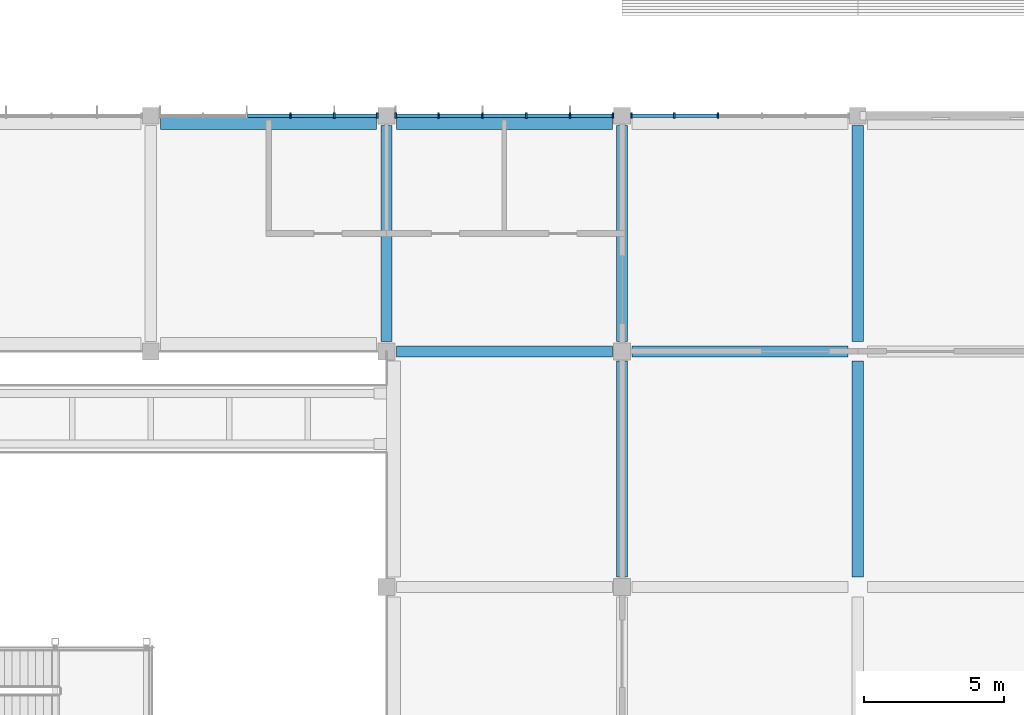
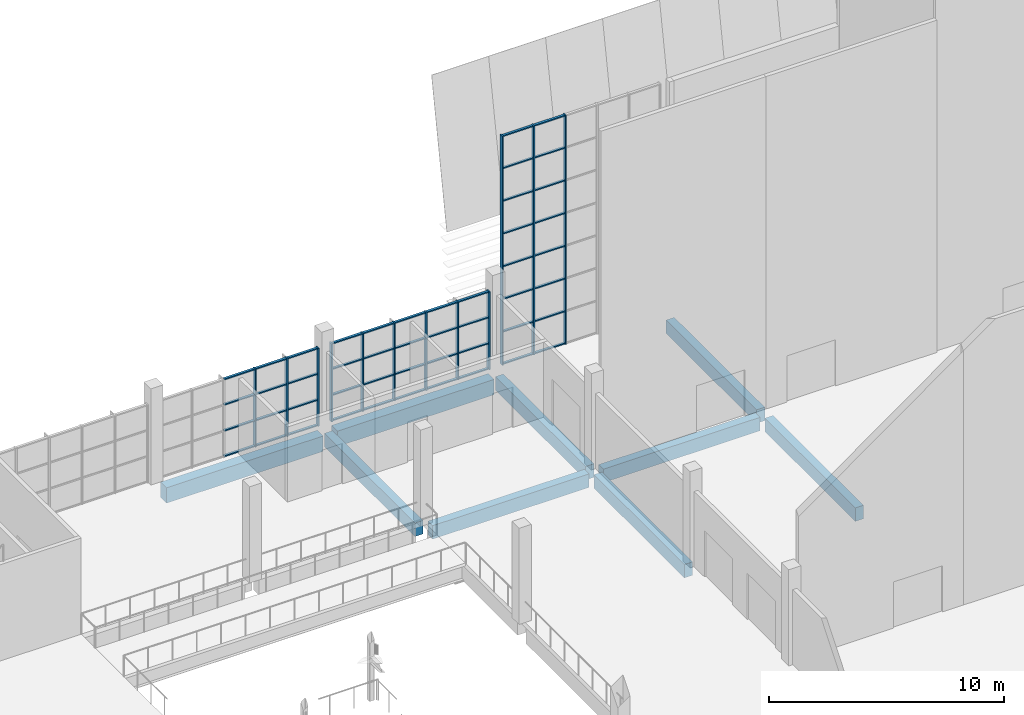
# One storey, part 11 of 59: 60 members, 9 beams, 3 elements without a shape of their own.
"""IFC4 building model written with IfcOpenShell, lengths in metres."""

from ifc_helpers import new_model, si_unit, direction, frame, origin, origin_2d, place, context, subcontext, project, spatial, rectangle, extrude, material, material_profile, profile_set, type_object, element, aggregate, save


model = new_model("IFC4")

# Units and contexts
model_context = context("Model", 3, precision=1e-05, world=origin(), true_north=direction((0.0, 1.0)))
body_context = subcontext(model_context, "Body", "Model", "MODEL_VIEW")
ifc_project = project(units=[si_unit("LENGTHUNIT", "METRE"), si_unit("AREAUNIT", "SQUARE_METRE"), si_unit("VOLUMEUNIT", "CUBIC_METRE"), si_unit("PLANEANGLEUNIT", "RADIAN"), si_unit("MASSUNIT", "GRAM", prefix="KILO")], contexts=[model_context])

# Site, building, storey
site_placement = place(None, origin())
site = spatial("IfcSite", under=ifc_project, at=site_placement, CompositionType="ELEMENT")
building_placement = place(site_placement, origin())
building = spatial("IfcBuilding", under=site, at=building_placement, Name="Almond Square Museum", CompositionType="ELEMENT")
storey_placement = place(building_placement, frame((0.0, 0.0, 25.0)))
storey = spatial("IfcBuildingStorey", under=building, at=storey_placement, Name="L04", CompositionType="ELEMENT", Elevation=25.0)

# Curtain wall, members
ifc_material_1 = material(Name="Aluminium and laminated glass", Category="aluminium")
curtain_wall_type = type_object("IfcCurtainWallType", Name="Unitised curtain wall 1500 module", PredefinedType="NOTDEFINED", material=ifc_material_1)
curtain_wall_1_placement = place(storey_placement, origin())
curtain_wall_1 = element("IfcCurtainWall", 1, at=curtain_wall_1_placement, inside=storey, type_object=curtain_wall_type, Name="Curtain wall CW-40", PredefinedType="NOTDEFINED")
ifc_material_2 = material(Name="Anodised aluminium", Category="aluminium")
ifc_material_profile_1 = material_profile(ifc_material_2, rectangle(XDim=0.199951171875, YDim=0.06005859375, at=origin_2d()))
ifc_profile_set_1 = profile_set([ifc_material_profile_1], Name="Anodised aluminium")
member_type_1 = type_object("IfcMemberType", Name="Aluminium mullion 60 x 200", PredefinedType="MULLION", material=ifc_profile_set_1)
member_1_placement = place(storey_placement, frame((107.1298828125, 109.199951171875, 0.0), z_axis=(0.0, 0.0, 1.0), x_axis=(0.0, 1.0, 0.0)))
member_1 = element("IfcMember", 2, at=member_1_placement, type_object=member_type_1, Name="CW-40 mullion 1", PredefinedType="MULLION", context=body_context, shape_type="SweptSolid", body=[
    extrude(rectangle(XDim=0.199951171875, YDim=0.06005859375, at=origin_2d()), origin(), (0.0, 0.0, 1.0), 11.89990234375),
])
member_2_placement = place(storey_placement, frame((108.659912109375, 109.199951171875, 0.0), z_axis=(0.0, 0.0, 1.0), x_axis=(0.0, 1.0, 0.0)))
member_2 = element("IfcMember", 3, at=member_2_placement, type_object=member_type_1, Name="CW-40 mullion 2", PredefinedType="MULLION", context=body_context, shape_type="SweptSolid", body=[
    extrude(rectangle(XDim=0.199951171875, YDim=0.06005859375, at=origin_2d()), origin(), (0.0, 0.0, 1.0), 11.89990234375),
])
member_3_placement = place(storey_placement, frame((110.219970703125, 109.199951171875, 0.0), z_axis=(0.0, 0.0, 1.0), x_axis=(0.0, 1.0, 0.0)))
member_3 = element("IfcMember", 4, at=member_3_placement, type_object=member_type_1, Name="CW-40 mullion 3", PredefinedType="MULLION", context=body_context, shape_type="SweptSolid", body=[
    extrude(rectangle(XDim=0.199951171875, YDim=0.06005859375, at=origin_2d()), origin(), (0.0, 0.0, 1.0), 11.89990234375),
])

curtain_wall_2_placement = place(storey_placement, origin())
curtain_wall_2 = element("IfcCurtainWall", 5, at=curtain_wall_2_placement, inside=storey, type_object=curtain_wall_type, Name="Curtain wall CW-41", PredefinedType="NOTDEFINED")
member_4_placement = place(storey_placement, frame((98.72998046875, 109.199951171875, 0.0), z_axis=(0.0, 0.0, 1.0), x_axis=(0.0, 1.0, 0.0)))
member_4 = element("IfcMember", 6, at=member_4_placement, type_object=member_type_1, Name="CW-41 mullion 1", PredefinedType="MULLION", context=body_context, shape_type="SweptSolid", body=[
    extrude(rectangle(XDim=0.199951171875, YDim=0.06005859375, at=origin_2d()), origin(), (0.0, 0.0, 1.0), 4.050048828125),
])
member_5_placement = place(storey_placement, frame((100.260009765625, 109.199951171875, 0.0), z_axis=(0.0, 0.0, 1.0), x_axis=(0.0, 1.0, 0.0)))
member_5 = element("IfcMember", 7, at=member_5_placement, type_object=member_type_1, Name="CW-41 mullion 2", PredefinedType="MULLION", context=body_context, shape_type="SweptSolid", body=[
    extrude(rectangle(XDim=0.199951171875, YDim=0.06005859375, at=origin_2d()), origin(), (0.0, 0.0, 1.0), 4.050048828125),
])
member_6_placement = place(storey_placement, frame((101.820068359375, 109.199951171875, 0.0), z_axis=(0.0, 0.0, 1.0), x_axis=(0.0, 1.0, 0.0)))
member_6 = element("IfcMember", 8, at=member_6_placement, type_object=member_type_1, Name="CW-41 mullion 3", PredefinedType="MULLION", context=body_context, shape_type="SweptSolid", body=[
    extrude(rectangle(XDim=0.199951171875, YDim=0.06005859375, at=origin_2d()), origin(), (0.0, 0.0, 1.0), 4.050048828125),
])
member_7_placement = place(storey_placement, frame((103.3798828125, 109.199951171875, 0.0), z_axis=(0.0, 0.0, 1.0), x_axis=(0.0, 1.0, 0.0)))
member_7 = element("IfcMember", 9, at=member_7_placement, type_object=member_type_1, Name="CW-41 mullion 4", PredefinedType="MULLION", context=body_context, shape_type="SweptSolid", body=[
    extrude(rectangle(XDim=0.199951171875, YDim=0.06005859375, at=origin_2d()), origin(), (0.0, 0.0, 1.0), 4.050048828125),
])
member_8_placement = place(storey_placement, frame((104.93994140625, 109.199951171875, 0.0), z_axis=(0.0, 0.0, 1.0), x_axis=(0.0, 1.0, 0.0)))
member_8 = element("IfcMember", 10, at=member_8_placement, type_object=member_type_1, Name="CW-41 mullion 5", PredefinedType="MULLION", context=body_context, shape_type="SweptSolid", body=[
    extrude(rectangle(XDim=0.199951171875, YDim=0.06005859375, at=origin_2d()), origin(), (0.0, 0.0, 1.0), 4.050048828125),
])
member_9_placement = place(storey_placement, frame((106.469970703125, 109.199951171875, 0.0), z_axis=(0.0, 0.0, 1.0), x_axis=(0.0, 1.0, 0.0)))
member_9 = element("IfcMember", 11, at=member_9_placement, type_object=member_type_1, Name="CW-41 mullion 6", PredefinedType="MULLION", context=body_context, shape_type="SweptSolid", body=[
    extrude(rectangle(XDim=0.199951171875, YDim=0.06005859375, at=origin_2d()), origin(), (0.0, 0.0, 1.0), 4.050048828125),
])

curtain_wall_3_placement = place(storey_placement, origin())
curtain_wall_3 = element("IfcCurtainWall", 12, at=curtain_wall_3_placement, inside=storey, type_object=curtain_wall_type, Name="Curtain wall CW-42", PredefinedType="NOTDEFINED")
member_10_placement = place(storey_placement, frame((94.97998046875, 109.199951171875, 0.0), z_axis=(0.0, 0.0, 1.0), x_axis=(0.0, 1.0, 0.0)))
member_10 = element("IfcMember", 13, at=member_10_placement, type_object=member_type_1, Name="CW-42 mullion 4", PredefinedType="MULLION", context=body_context, shape_type="SweptSolid", body=[
    extrude(rectangle(XDim=0.199951171875, YDim=0.06005859375, at=origin_2d()), origin(), (0.0, 0.0, 1.0), 4.050048828125),
])
member_11_placement = place(storey_placement, frame((96.5400390625, 109.199951171875, 0.0), z_axis=(0.0, 0.0, 1.0), x_axis=(0.0, 1.0, 0.0)))
member_11 = element("IfcMember", 14, at=member_11_placement, type_object=member_type_1, Name="CW-42 mullion 5", PredefinedType="MULLION", context=body_context, shape_type="SweptSolid", body=[
    extrude(rectangle(XDim=0.199951171875, YDim=0.06005859375, at=origin_2d()), origin(), (0.0, 0.0, 1.0), 4.050048828125),
])
member_12_placement = place(storey_placement, frame((98.070068359375, 109.199951171875, 0.0), z_axis=(0.0, 0.0, 1.0), x_axis=(0.0, 1.0, 0.0)))
member_12 = element("IfcMember", 15, at=member_12_placement, type_object=member_type_1, Name="CW-42 mullion 6", PredefinedType="MULLION", context=body_context, shape_type="SweptSolid", body=[
    extrude(rectangle(XDim=0.199951171875, YDim=0.06005859375, at=origin_2d()), origin(), (0.0, 0.0, 1.0), 4.050048828125),
])

# Member
ifc_material_3 = material(Name="Anodised aluminium", Category="aluminium")
ifc_material_profile_2 = material_profile(ifc_material_3, rectangle(XDim=0.1201171875, YDim=0.06005859375, at=origin_2d()))
ifc_profile_set_2 = profile_set([ifc_material_profile_2], Name="Anodised aluminium")
member_type_2 = type_object("IfcMemberType", Name="Aluminium transom 60 x 120", PredefinedType="USERDEFINED", material=ifc_profile_set_2)
member_13_placement = place(storey_placement, frame((107.159912109375, 109.199951171875, 0.030029296875), z_axis=(1.0, 0.0, 0.0), x_axis=(0.0, 1.0, 0.0)))
member_13 = element("IfcMember", 16, at=member_13_placement, type_object=member_type_2, Name="CW-40 transom 1.1", ObjectType="TRANSOM", PredefinedType="USERDEFINED", context=body_context, shape_type="SweptSolid", body=[
    extrude(rectangle(XDim=0.1201171875, YDim=0.06005859375, at=origin_2d()), origin(), (0.0, 0.0, 1.0), 1.469970703125),
])

member_14_placement = place(storey_placement, frame((107.159912109375, 109.199951171875, 1.699951171875), z_axis=(1.0, 0.0, 0.0), x_axis=(0.0, 1.0, 0.0)))
member_14 = element("IfcMember", 17, at=member_14_placement, type_object=member_type_2, Name="CW-40 transom 1.2", ObjectType="TRANSOM", PredefinedType="USERDEFINED", context=body_context, shape_type="SweptSolid", body=[
    extrude(rectangle(XDim=0.1201171875, YDim=0.06005859375, at=origin_2d()), origin(), (0.0, 0.0, 1.0), 1.469970703125),
])

member_15_placement = place(storey_placement, frame((107.159912109375, 109.199951171875, 3.39990234375), z_axis=(1.0, 0.0, 0.0), x_axis=(0.0, 1.0, 0.0)))
member_15 = element("IfcMember", 18, at=member_15_placement, type_object=member_type_2, Name="CW-40 transom 1.3", ObjectType="TRANSOM", PredefinedType="USERDEFINED", context=body_context, shape_type="SweptSolid", body=[
    extrude(rectangle(XDim=0.1201171875, YDim=0.06005859375, at=origin_2d()), origin(), (0.0, 0.0, 1.0), 1.469970703125),
])

member_16_placement = place(storey_placement, frame((107.159912109375, 109.199951171875, 5.10009765625), z_axis=(1.0, 0.0, 0.0), x_axis=(0.0, 1.0, 0.0)))
member_16 = element("IfcMember", 19, at=member_16_placement, type_object=member_type_2, Name="CW-40 transom 1.4", ObjectType="TRANSOM", PredefinedType="USERDEFINED", context=body_context, shape_type="SweptSolid", body=[
    extrude(rectangle(XDim=0.1201171875, YDim=0.06005859375, at=origin_2d()), origin(), (0.0, 0.0, 1.0), 1.469970703125),
])

member_17_placement = place(storey_placement, frame((107.159912109375, 109.199951171875, 6.800048828125), z_axis=(1.0, 0.0, 0.0), x_axis=(0.0, 1.0, 0.0)))
member_17 = element("IfcMember", 20, at=member_17_placement, type_object=member_type_2, Name="CW-40 transom 1.5", ObjectType="TRANSOM", PredefinedType="USERDEFINED", context=body_context, shape_type="SweptSolid", body=[
    extrude(rectangle(XDim=0.1201171875, YDim=0.06005859375, at=origin_2d()), origin(), (0.0, 0.0, 1.0), 1.469970703125),
])

member_18_placement = place(storey_placement, frame((107.159912109375, 109.199951171875, 8.5), z_axis=(1.0, 0.0, 0.0), x_axis=(0.0, 1.0, 0.0)))
member_18 = element("IfcMember", 21, at=member_18_placement, type_object=member_type_2, Name="CW-40 transom 1.6", ObjectType="TRANSOM", PredefinedType="USERDEFINED", context=body_context, shape_type="SweptSolid", body=[
    extrude(rectangle(XDim=0.1201171875, YDim=0.06005859375, at=origin_2d()), origin(), (0.0, 0.0, 1.0), 1.469970703125),
])

member_19_placement = place(storey_placement, frame((107.159912109375, 109.199951171875, 10.199951171875), z_axis=(1.0, 0.0, 0.0), x_axis=(0.0, 1.0, 0.0)))
member_19 = element("IfcMember", 22, at=member_19_placement, type_object=member_type_2, Name="CW-40 transom 1.7", ObjectType="TRANSOM", PredefinedType="USERDEFINED", context=body_context, shape_type="SweptSolid", body=[
    extrude(rectangle(XDim=0.1201171875, YDim=0.06005859375, at=origin_2d()), origin(), (0.0, 0.0, 1.0), 1.469970703125),
])

member_20_placement = place(storey_placement, frame((107.159912109375, 109.199951171875, 11.8701171875), z_axis=(1.0, 0.0, 0.0), x_axis=(0.0, 1.0, 0.0)))
member_20 = element("IfcMember", 23, at=member_20_placement, type_object=member_type_2, Name="CW-40 transom 1.8", ObjectType="TRANSOM", PredefinedType="USERDEFINED", context=body_context, shape_type="SweptSolid", body=[
    extrude(rectangle(XDim=0.1201171875, YDim=0.06005859375, at=origin_2d()), origin(), (0.0, 0.0, 1.0), 1.469970703125),
])

member_21_placement = place(storey_placement, frame((108.68994140625, 109.199951171875, 0.030029296875), z_axis=(1.0, 0.0, 0.0), x_axis=(0.0, 1.0, 0.0)))
member_21 = element("IfcMember", 24, at=member_21_placement, type_object=member_type_2, Name="CW-40 transom 2.1", ObjectType="TRANSOM", PredefinedType="USERDEFINED", context=body_context, shape_type="SweptSolid", body=[
    extrude(rectangle(XDim=0.1201171875, YDim=0.06005859375, at=origin_2d()), origin(), (0.0, 0.0, 1.0), 1.5),
])

member_22_placement = place(storey_placement, frame((108.68994140625, 109.199951171875, 1.699951171875), z_axis=(1.0, 0.0, 0.0), x_axis=(0.0, 1.0, 0.0)))
member_22 = element("IfcMember", 25, at=member_22_placement, type_object=member_type_2, Name="CW-40 transom 2.2", ObjectType="TRANSOM", PredefinedType="USERDEFINED", context=body_context, shape_type="SweptSolid", body=[
    extrude(rectangle(XDim=0.1201171875, YDim=0.06005859375, at=origin_2d()), origin(), (0.0, 0.0, 1.0), 1.5),
])

member_23_placement = place(storey_placement, frame((108.68994140625, 109.199951171875, 3.39990234375), z_axis=(1.0, 0.0, 0.0), x_axis=(0.0, 1.0, 0.0)))
member_23 = element("IfcMember", 26, at=member_23_placement, type_object=member_type_2, Name="CW-40 transom 2.3", ObjectType="TRANSOM", PredefinedType="USERDEFINED", context=body_context, shape_type="SweptSolid", body=[
    extrude(rectangle(XDim=0.1201171875, YDim=0.06005859375, at=origin_2d()), origin(), (0.0, 0.0, 1.0), 1.5),
])

member_24_placement = place(storey_placement, frame((108.68994140625, 109.199951171875, 5.10009765625), z_axis=(1.0, 0.0, 0.0), x_axis=(0.0, 1.0, 0.0)))
member_24 = element("IfcMember", 27, at=member_24_placement, type_object=member_type_2, Name="CW-40 transom 2.4", ObjectType="TRANSOM", PredefinedType="USERDEFINED", context=body_context, shape_type="SweptSolid", body=[
    extrude(rectangle(XDim=0.1201171875, YDim=0.06005859375, at=origin_2d()), origin(), (0.0, 0.0, 1.0), 1.5),
])

member_25_placement = place(storey_placement, frame((108.68994140625, 109.199951171875, 6.800048828125), z_axis=(1.0, 0.0, 0.0), x_axis=(0.0, 1.0, 0.0)))
member_25 = element("IfcMember", 28, at=member_25_placement, type_object=member_type_2, Name="CW-40 transom 2.5", ObjectType="TRANSOM", PredefinedType="USERDEFINED", context=body_context, shape_type="SweptSolid", body=[
    extrude(rectangle(XDim=0.1201171875, YDim=0.06005859375, at=origin_2d()), origin(), (0.0, 0.0, 1.0), 1.5),
])

member_26_placement = place(storey_placement, frame((108.68994140625, 109.199951171875, 8.5), z_axis=(1.0, 0.0, 0.0), x_axis=(0.0, 1.0, 0.0)))
member_26 = element("IfcMember", 29, at=member_26_placement, type_object=member_type_2, Name="CW-40 transom 2.6", ObjectType="TRANSOM", PredefinedType="USERDEFINED", context=body_context, shape_type="SweptSolid", body=[
    extrude(rectangle(XDim=0.1201171875, YDim=0.06005859375, at=origin_2d()), origin(), (0.0, 0.0, 1.0), 1.5),
])

member_27_placement = place(storey_placement, frame((108.68994140625, 109.199951171875, 10.199951171875), z_axis=(1.0, 0.0, 0.0), x_axis=(0.0, 1.0, 0.0)))
member_27 = element("IfcMember", 30, at=member_27_placement, type_object=member_type_2, Name="CW-40 transom 2.7", ObjectType="TRANSOM", PredefinedType="USERDEFINED", context=body_context, shape_type="SweptSolid", body=[
    extrude(rectangle(XDim=0.1201171875, YDim=0.06005859375, at=origin_2d()), origin(), (0.0, 0.0, 1.0), 1.5),
])

member_28_placement = place(storey_placement, frame((108.68994140625, 109.199951171875, 11.8701171875), z_axis=(1.0, 0.0, 0.0), x_axis=(0.0, 1.0, 0.0)))
member_28 = element("IfcMember", 31, at=member_28_placement, type_object=member_type_2, Name="CW-40 transom 2.8", ObjectType="TRANSOM", PredefinedType="USERDEFINED", context=body_context, shape_type="SweptSolid", body=[
    extrude(rectangle(XDim=0.1201171875, YDim=0.06005859375, at=origin_2d()), origin(), (0.0, 0.0, 1.0), 1.5),
])

aggregate(curtain_wall_1, [member_1, member_2, member_3, member_13, member_14, member_15, member_16, member_17, member_18, member_19, member_20, member_21, member_22, member_23, member_24, member_25, member_26, member_27, member_28])

member_29_placement = place(storey_placement, frame((98.760009765625, 109.199951171875, 0.030029296875), z_axis=(1.0, 0.0, 0.0), x_axis=(0.0, 1.0, 0.0)))
member_29 = element("IfcMember", 32, at=member_29_placement, type_object=member_type_2, Name="CW-41 transom 1.1", ObjectType="TRANSOM", PredefinedType="USERDEFINED", context=body_context, shape_type="SweptSolid", body=[
    extrude(rectangle(XDim=0.1201171875, YDim=0.06005859375, at=origin_2d()), origin(), (0.0, 0.0, 1.0), 1.469970703125),
])

member_30_placement = place(storey_placement, frame((98.760009765625, 109.199951171875, 1.35009765625), z_axis=(1.0, 0.0, 0.0), x_axis=(0.0, 1.0, 0.0)))
member_30 = element("IfcMember", 33, at=member_30_placement, type_object=member_type_2, Name="CW-41 transom 1.2", ObjectType="TRANSOM", PredefinedType="USERDEFINED", context=body_context, shape_type="SweptSolid", body=[
    extrude(rectangle(XDim=0.1201171875, YDim=0.06005859375, at=origin_2d()), origin(), (0.0, 0.0, 1.0), 1.469970703125),
])

member_31_placement = place(storey_placement, frame((98.760009765625, 109.199951171875, 2.699951171875), z_axis=(1.0, 0.0, 0.0), x_axis=(0.0, 1.0, 0.0)))
member_31 = element("IfcMember", 34, at=member_31_placement, type_object=member_type_2, Name="CW-41 transom 1.3", ObjectType="TRANSOM", PredefinedType="USERDEFINED", context=body_context, shape_type="SweptSolid", body=[
    extrude(rectangle(XDim=0.1201171875, YDim=0.06005859375, at=origin_2d()), origin(), (0.0, 0.0, 1.0), 1.469970703125),
])

member_32_placement = place(storey_placement, frame((98.760009765625, 109.199951171875, 4.02001953125), z_axis=(1.0, 0.0, 0.0), x_axis=(0.0, 1.0, 0.0)))
member_32 = element("IfcMember", 35, at=member_32_placement, type_object=member_type_2, Name="CW-41 transom 1.4", ObjectType="TRANSOM", PredefinedType="USERDEFINED", context=body_context, shape_type="SweptSolid", body=[
    extrude(rectangle(XDim=0.1201171875, YDim=0.06005859375, at=origin_2d()), origin(), (0.0, 0.0, 1.0), 1.469970703125),
])

member_33_placement = place(storey_placement, frame((100.2900390625, 109.199951171875, 0.030029296875), z_axis=(1.0, 0.0, 0.0), x_axis=(0.0, 1.0, 0.0)))
member_33 = element("IfcMember", 36, at=member_33_placement, type_object=member_type_2, Name="CW-41 transom 2.1", ObjectType="TRANSOM", PredefinedType="USERDEFINED", context=body_context, shape_type="SweptSolid", body=[
    extrude(rectangle(XDim=0.1201171875, YDim=0.06005859375, at=origin_2d()), origin(), (0.0, 0.0, 1.0), 1.5),
])

member_34_placement = place(storey_placement, frame((100.2900390625, 109.199951171875, 1.35009765625), z_axis=(1.0, 0.0, 0.0), x_axis=(0.0, 1.0, 0.0)))
member_34 = element("IfcMember", 37, at=member_34_placement, type_object=member_type_2, Name="CW-41 transom 2.2", ObjectType="TRANSOM", PredefinedType="USERDEFINED", context=body_context, shape_type="SweptSolid", body=[
    extrude(rectangle(XDim=0.1201171875, YDim=0.06005859375, at=origin_2d()), origin(), (0.0, 0.0, 1.0), 1.5),
])

member_35_placement = place(storey_placement, frame((100.2900390625, 109.199951171875, 2.699951171875), z_axis=(1.0, 0.0, 0.0), x_axis=(0.0, 1.0, 0.0)))
member_35 = element("IfcMember", 38, at=member_35_placement, type_object=member_type_2, Name="CW-41 transom 2.3", ObjectType="TRANSOM", PredefinedType="USERDEFINED", context=body_context, shape_type="SweptSolid", body=[
    extrude(rectangle(XDim=0.1201171875, YDim=0.06005859375, at=origin_2d()), origin(), (0.0, 0.0, 1.0), 1.5),
])

member_36_placement = place(storey_placement, frame((100.2900390625, 109.199951171875, 4.02001953125), z_axis=(1.0, 0.0, 0.0), x_axis=(0.0, 1.0, 0.0)))
member_36 = element("IfcMember", 39, at=member_36_placement, type_object=member_type_2, Name="CW-41 transom 2.4", ObjectType="TRANSOM", PredefinedType="USERDEFINED", context=body_context, shape_type="SweptSolid", body=[
    extrude(rectangle(XDim=0.1201171875, YDim=0.06005859375, at=origin_2d()), origin(), (0.0, 0.0, 1.0), 1.5),
])

member_37_placement = place(storey_placement, frame((101.85009765625, 109.199951171875, 0.030029296875), z_axis=(1.0, 0.0, 0.0), x_axis=(0.0, 1.0, 0.0)))
member_37 = element("IfcMember", 40, at=member_37_placement, type_object=member_type_2, Name="CW-41 transom 3.1", ObjectType="TRANSOM", PredefinedType="USERDEFINED", context=body_context, shape_type="SweptSolid", body=[
    extrude(rectangle(XDim=0.1201171875, YDim=0.06005859375, at=origin_2d()), origin(), (0.0, 0.0, 1.0), 1.5),
])

member_38_placement = place(storey_placement, frame((101.85009765625, 109.199951171875, 1.35009765625), z_axis=(1.0, 0.0, 0.0), x_axis=(0.0, 1.0, 0.0)))
member_38 = element("IfcMember", 41, at=member_38_placement, type_object=member_type_2, Name="CW-41 transom 3.2", ObjectType="TRANSOM", PredefinedType="USERDEFINED", context=body_context, shape_type="SweptSolid", body=[
    extrude(rectangle(XDim=0.1201171875, YDim=0.06005859375, at=origin_2d()), origin(), (0.0, 0.0, 1.0), 1.5),
])

member_39_placement = place(storey_placement, frame((101.85009765625, 109.199951171875, 2.699951171875), z_axis=(1.0, 0.0, 0.0), x_axis=(0.0, 1.0, 0.0)))
member_39 = element("IfcMember", 42, at=member_39_placement, type_object=member_type_2, Name="CW-41 transom 3.3", ObjectType="TRANSOM", PredefinedType="USERDEFINED", context=body_context, shape_type="SweptSolid", body=[
    extrude(rectangle(XDim=0.1201171875, YDim=0.06005859375, at=origin_2d()), origin(), (0.0, 0.0, 1.0), 1.5),
])

member_40_placement = place(storey_placement, frame((101.85009765625, 109.199951171875, 4.02001953125), z_axis=(1.0, 0.0, 0.0), x_axis=(0.0, 1.0, 0.0)))
member_40 = element("IfcMember", 43, at=member_40_placement, type_object=member_type_2, Name="CW-41 transom 3.4", ObjectType="TRANSOM", PredefinedType="USERDEFINED", context=body_context, shape_type="SweptSolid", body=[
    extrude(rectangle(XDim=0.1201171875, YDim=0.06005859375, at=origin_2d()), origin(), (0.0, 0.0, 1.0), 1.5),
])

member_41_placement = place(storey_placement, frame((103.409912109375, 109.199951171875, 0.030029296875), z_axis=(1.0, 0.0, 0.0), x_axis=(0.0, 1.0, 0.0)))
member_41 = element("IfcMember", 44, at=member_41_placement, type_object=member_type_2, Name="CW-41 transom 4.1", ObjectType="TRANSOM", PredefinedType="USERDEFINED", context=body_context, shape_type="SweptSolid", body=[
    extrude(rectangle(XDim=0.1201171875, YDim=0.06005859375, at=origin_2d()), origin(), (0.0, 0.0, 1.0), 1.5),
])

member_42_placement = place(storey_placement, frame((103.409912109375, 109.199951171875, 1.35009765625), z_axis=(1.0, 0.0, 0.0), x_axis=(0.0, 1.0, 0.0)))
member_42 = element("IfcMember", 45, at=member_42_placement, type_object=member_type_2, Name="CW-41 transom 4.2", ObjectType="TRANSOM", PredefinedType="USERDEFINED", context=body_context, shape_type="SweptSolid", body=[
    extrude(rectangle(XDim=0.1201171875, YDim=0.06005859375, at=origin_2d()), origin(), (0.0, 0.0, 1.0), 1.5),
])

member_43_placement = place(storey_placement, frame((103.409912109375, 109.199951171875, 2.699951171875), z_axis=(1.0, 0.0, 0.0), x_axis=(0.0, 1.0, 0.0)))
member_43 = element("IfcMember", 46, at=member_43_placement, type_object=member_type_2, Name="CW-41 transom 4.3", ObjectType="TRANSOM", PredefinedType="USERDEFINED", context=body_context, shape_type="SweptSolid", body=[
    extrude(rectangle(XDim=0.1201171875, YDim=0.06005859375, at=origin_2d()), origin(), (0.0, 0.0, 1.0), 1.5),
])

member_44_placement = place(storey_placement, frame((103.409912109375, 109.199951171875, 4.02001953125), z_axis=(1.0, 0.0, 0.0), x_axis=(0.0, 1.0, 0.0)))
member_44 = element("IfcMember", 47, at=member_44_placement, type_object=member_type_2, Name="CW-41 transom 4.4", ObjectType="TRANSOM", PredefinedType="USERDEFINED", context=body_context, shape_type="SweptSolid", body=[
    extrude(rectangle(XDim=0.1201171875, YDim=0.06005859375, at=origin_2d()), origin(), (0.0, 0.0, 1.0), 1.5),
])

member_45_placement = place(storey_placement, frame((104.969970703125, 109.199951171875, 0.030029296875), z_axis=(1.0, 0.0, 0.0), x_axis=(0.0, 1.0, 0.0)))
member_45 = element("IfcMember", 48, at=member_45_placement, type_object=member_type_2, Name="CW-41 transom 5.1", ObjectType="TRANSOM", PredefinedType="USERDEFINED", context=body_context, shape_type="SweptSolid", body=[
    extrude(rectangle(XDim=0.1201171875, YDim=0.06005859375, at=origin_2d()), origin(), (0.0, 0.0, 1.0), 1.469970703125),
])

member_46_placement = place(storey_placement, frame((104.969970703125, 109.199951171875, 1.35009765625), z_axis=(1.0, 0.0, 0.0), x_axis=(0.0, 1.0, 0.0)))
member_46 = element("IfcMember", 49, at=member_46_placement, type_object=member_type_2, Name="CW-41 transom 5.2", ObjectType="TRANSOM", PredefinedType="USERDEFINED", context=body_context, shape_type="SweptSolid", body=[
    extrude(rectangle(XDim=0.1201171875, YDim=0.06005859375, at=origin_2d()), origin(), (0.0, 0.0, 1.0), 1.469970703125),
])

member_47_placement = place(storey_placement, frame((104.969970703125, 109.199951171875, 2.699951171875), z_axis=(1.0, 0.0, 0.0), x_axis=(0.0, 1.0, 0.0)))
member_47 = element("IfcMember", 50, at=member_47_placement, type_object=member_type_2, Name="CW-41 transom 5.3", ObjectType="TRANSOM", PredefinedType="USERDEFINED", context=body_context, shape_type="SweptSolid", body=[
    extrude(rectangle(XDim=0.1201171875, YDim=0.06005859375, at=origin_2d()), origin(), (0.0, 0.0, 1.0), 1.469970703125),
])

member_48_placement = place(storey_placement, frame((104.969970703125, 109.199951171875, 4.02001953125), z_axis=(1.0, 0.0, 0.0), x_axis=(0.0, 1.0, 0.0)))
member_48 = element("IfcMember", 51, at=member_48_placement, type_object=member_type_2, Name="CW-41 transom 5.4", ObjectType="TRANSOM", PredefinedType="USERDEFINED", context=body_context, shape_type="SweptSolid", body=[
    extrude(rectangle(XDim=0.1201171875, YDim=0.06005859375, at=origin_2d()), origin(), (0.0, 0.0, 1.0), 1.469970703125),
])

aggregate(curtain_wall_2, [member_4, member_5, member_6, member_7, member_8, member_9, member_29, member_30, member_31, member_32, member_33, member_34, member_35, member_36, member_37, member_38, member_39, member_40, member_41, member_42, member_43, member_44, member_45, member_46, member_47, member_48])

member_49_placement = place(storey_placement, frame((93.449951171875, 109.199951171875, 0.030029296875), z_axis=(1.0, 0.0, 0.0), x_axis=(0.0, 1.0, 0.0)))
member_49 = element("IfcMember", 52, at=member_49_placement, type_object=member_type_2, Name="CW-42 transom 3.1", ObjectType="TRANSOM", PredefinedType="USERDEFINED", context=body_context, shape_type="SweptSolid", body=[
    extrude(rectangle(XDim=0.1201171875, YDim=0.06005859375, at=origin_2d()), origin(), (0.0, 0.0, 1.0), 1.5),
])

member_50_placement = place(storey_placement, frame((93.449951171875, 109.199951171875, 1.35009765625), z_axis=(1.0, 0.0, 0.0), x_axis=(0.0, 1.0, 0.0)))
member_50 = element("IfcMember", 53, at=member_50_placement, type_object=member_type_2, Name="CW-42 transom 3.2", ObjectType="TRANSOM", PredefinedType="USERDEFINED", context=body_context, shape_type="SweptSolid", body=[
    extrude(rectangle(XDim=0.1201171875, YDim=0.06005859375, at=origin_2d()), origin(), (0.0, 0.0, 1.0), 1.5),
])

member_51_placement = place(storey_placement, frame((93.449951171875, 109.199951171875, 2.699951171875), z_axis=(1.0, 0.0, 0.0), x_axis=(0.0, 1.0, 0.0)))
member_51 = element("IfcMember", 54, at=member_51_placement, type_object=member_type_2, Name="CW-42 transom 3.3", ObjectType="TRANSOM", PredefinedType="USERDEFINED", context=body_context, shape_type="SweptSolid", body=[
    extrude(rectangle(XDim=0.1201171875, YDim=0.06005859375, at=origin_2d()), origin(), (0.0, 0.0, 1.0), 1.5),
])

member_52_placement = place(storey_placement, frame((93.449951171875, 109.199951171875, 4.02001953125), z_axis=(1.0, 0.0, 0.0), x_axis=(0.0, 1.0, 0.0)))
member_52 = element("IfcMember", 55, at=member_52_placement, type_object=member_type_2, Name="CW-42 transom 3.4", ObjectType="TRANSOM", PredefinedType="USERDEFINED", context=body_context, shape_type="SweptSolid", body=[
    extrude(rectangle(XDim=0.1201171875, YDim=0.06005859375, at=origin_2d()), origin(), (0.0, 0.0, 1.0), 1.5),
])

member_53_placement = place(storey_placement, frame((95.010009765625, 109.199951171875, 0.030029296875), z_axis=(1.0, 0.0, 0.0), x_axis=(0.0, 1.0, 0.0)))
member_53 = element("IfcMember", 56, at=member_53_placement, type_object=member_type_2, Name="CW-42 transom 4.1", ObjectType="TRANSOM", PredefinedType="USERDEFINED", context=body_context, shape_type="SweptSolid", body=[
    extrude(rectangle(XDim=0.1201171875, YDim=0.06005859375, at=origin_2d()), origin(), (0.0, 0.0, 1.0), 1.5),
])

member_54_placement = place(storey_placement, frame((95.010009765625, 109.199951171875, 1.35009765625), z_axis=(1.0, 0.0, 0.0), x_axis=(0.0, 1.0, 0.0)))
member_54 = element("IfcMember", 57, at=member_54_placement, type_object=member_type_2, Name="CW-42 transom 4.2", ObjectType="TRANSOM", PredefinedType="USERDEFINED", context=body_context, shape_type="SweptSolid", body=[
    extrude(rectangle(XDim=0.1201171875, YDim=0.06005859375, at=origin_2d()), origin(), (0.0, 0.0, 1.0), 1.5),
])

member_55_placement = place(storey_placement, frame((95.010009765625, 109.199951171875, 2.699951171875), z_axis=(1.0, 0.0, 0.0), x_axis=(0.0, 1.0, 0.0)))
member_55 = element("IfcMember", 58, at=member_55_placement, type_object=member_type_2, Name="CW-42 transom 4.3", ObjectType="TRANSOM", PredefinedType="USERDEFINED", context=body_context, shape_type="SweptSolid", body=[
    extrude(rectangle(XDim=0.1201171875, YDim=0.06005859375, at=origin_2d()), origin(), (0.0, 0.0, 1.0), 1.5),
])

member_56_placement = place(storey_placement, frame((95.010009765625, 109.199951171875, 4.02001953125), z_axis=(1.0, 0.0, 0.0), x_axis=(0.0, 1.0, 0.0)))
member_56 = element("IfcMember", 59, at=member_56_placement, type_object=member_type_2, Name="CW-42 transom 4.4", ObjectType="TRANSOM", PredefinedType="USERDEFINED", context=body_context, shape_type="SweptSolid", body=[
    extrude(rectangle(XDim=0.1201171875, YDim=0.06005859375, at=origin_2d()), origin(), (0.0, 0.0, 1.0), 1.5),
])

member_57_placement = place(storey_placement, frame((96.570068359375, 109.199951171875, 0.030029296875), z_axis=(1.0, 0.0, 0.0), x_axis=(0.0, 1.0, 0.0)))
member_57 = element("IfcMember", 60, at=member_57_placement, type_object=member_type_2, Name="CW-42 transom 5.1", ObjectType="TRANSOM", PredefinedType="USERDEFINED", context=body_context, shape_type="SweptSolid", body=[
    extrude(rectangle(XDim=0.1201171875, YDim=0.06005859375, at=origin_2d()), origin(), (0.0, 0.0, 1.0), 1.469970703125),
])

member_58_placement = place(storey_placement, frame((96.570068359375, 109.199951171875, 1.35009765625), z_axis=(1.0, 0.0, 0.0), x_axis=(0.0, 1.0, 0.0)))
member_58 = element("IfcMember", 61, at=member_58_placement, type_object=member_type_2, Name="CW-42 transom 5.2", ObjectType="TRANSOM", PredefinedType="USERDEFINED", context=body_context, shape_type="SweptSolid", body=[
    extrude(rectangle(XDim=0.1201171875, YDim=0.06005859375, at=origin_2d()), origin(), (0.0, 0.0, 1.0), 1.469970703125),
])

member_59_placement = place(storey_placement, frame((96.570068359375, 109.199951171875, 2.699951171875), z_axis=(1.0, 0.0, 0.0), x_axis=(0.0, 1.0, 0.0)))
member_59 = element("IfcMember", 62, at=member_59_placement, type_object=member_type_2, Name="CW-42 transom 5.3", ObjectType="TRANSOM", PredefinedType="USERDEFINED", context=body_context, shape_type="SweptSolid", body=[
    extrude(rectangle(XDim=0.1201171875, YDim=0.06005859375, at=origin_2d()), origin(), (0.0, 0.0, 1.0), 1.469970703125),
])

member_60_placement = place(storey_placement, frame((96.570068359375, 109.199951171875, 4.02001953125), z_axis=(1.0, 0.0, 0.0), x_axis=(0.0, 1.0, 0.0)))
member_60 = element("IfcMember", 63, at=member_60_placement, type_object=member_type_2, Name="CW-42 transom 5.4", ObjectType="TRANSOM", PredefinedType="USERDEFINED", context=body_context, shape_type="SweptSolid", body=[
    extrude(rectangle(XDim=0.1201171875, YDim=0.06005859375, at=origin_2d()), origin(), (0.0, 0.0, 1.0), 1.469970703125),
])

aggregate(curtain_wall_3, [member_10, member_11, member_12, member_49, member_50, member_51, member_52, member_53, member_54, member_55, member_56, member_57, member_58, member_59, member_60])

# Beams
ifc_material_4 = material(Name="Concrete C40/50", Category="concrete")
ifc_material_profile_3 = material_profile(ifc_material_4, rectangle(XDim=0.39990234375, YDim=0.699951171875, at=origin_2d()))
ifc_profile_set_3 = profile_set([ifc_material_profile_3], Name="Concrete C40/50")
beam_type_1 = type_object("IfcBeamType", Name="RC beam 400 x 700 C40/50", PredefinedType="BEAM", material=ifc_profile_set_3)
beam_1_placement = place(storey_placement, frame((98.75, 100.800048828125, -0.60009765625), z_axis=(1.0, 0.0, 0.0), x_axis=(0.0, 1.0, 0.0)))
element("IfcBeam", 64, at=beam_1_placement, inside=storey, type_object=beam_type_1, Name="Beam M 13-14 L04", PredefinedType="BEAM", context=body_context, shape_type="SweptSolid", body=[
    extrude(rectangle(XDim=0.39990234375, YDim=0.699951171875, at=origin_2d()), origin(), (0.0, 0.0, 1.0), 7.699951171875),
])
for number, where, z_axis, x_axis, name in (
    (65, (107.14990234375, 100.800048828125, -0.60009765625), (1.0, 0.0, 0.0), (0.0, 1.0, 0.0), "Beam M 14-15 L04"),
    (66, (98.39990234375, 101.14990234375, -0.60009765625), (0.0, 1.0, 0.0), (-1.0, 0.0, 0.0), "Beam 13 M-N L04"),
):
    element("IfcBeam", number, at=place(storey_placement, frame(where, z_axis=z_axis, x_axis=x_axis)), inside=storey, type_object=beam_type_1, Name=name, PredefinedType="BEAM", context=body_context, shape_type="SweptSolid", body=[
        extrude(rectangle(XDim=0.39990234375, YDim=0.699951171875, at=origin_2d()), origin(), (0.0, 0.0, 1.0), 7.7001953125),
    ])
beam_2_placement = place(storey_placement, frame((106.800048828125, 92.75, -0.60009765625), z_axis=(0.0, 1.0, 0.0), x_axis=(-1.0, 0.0, 0.0)))
element("IfcBeam", 67, at=beam_2_placement, inside=storey, type_object=beam_type_1, Name="Beam 14 L-M L04", PredefinedType="BEAM", context=body_context, shape_type="SweptSolid", body=[
    extrude(rectangle(XDim=0.39990234375, YDim=0.699951171875, at=origin_2d()), origin(), (0.0, 0.0, 1.0), 7.699951171875),
])
beam_3_placement = place(storey_placement, frame((106.800048828125, 101.14990234375, -0.60009765625), z_axis=(0.0, 1.0, 0.0), x_axis=(-1.0, 0.0, 0.0)))
element("IfcBeam", 68, at=beam_3_placement, inside=storey, type_object=beam_type_1, Name="Beam 14 M-N L04", PredefinedType="BEAM", context=body_context, shape_type="SweptSolid", body=[
    extrude(rectangle(XDim=0.39990234375, YDim=0.699951171875, at=origin_2d()), origin(), (0.0, 0.0, 1.0), 7.7001953125),
])
beam_4_placement = place(storey_placement, frame((115.199951171875, 92.75, -0.60009765625), z_axis=(0.0, 1.0, 0.0), x_axis=(-1.0, 0.0, 0.0)))
element("IfcBeam", 69, at=beam_4_placement, inside=storey, type_object=beam_type_1, Name="Beam 15 L-M L04", PredefinedType="BEAM", context=body_context, shape_type="SweptSolid", body=[
    extrude(rectangle(XDim=0.39990234375, YDim=0.699951171875, at=origin_2d()), origin(), (0.0, 0.0, 1.0), 7.699951171875),
])
beam_5_placement = place(storey_placement, frame((115.199951171875, 101.14990234375, -0.60009765625), z_axis=(0.0, 1.0, 0.0), x_axis=(-1.0, 0.0, 0.0)))
element("IfcBeam", 70, at=beam_5_placement, inside=storey, type_object=beam_type_1, Name="Beam 15 M-N L04", PredefinedType="BEAM", context=body_context, shape_type="SweptSolid", body=[
    extrude(rectangle(XDim=0.39990234375, YDim=0.699951171875, at=origin_2d()), origin(), (0.0, 0.0, 1.0), 7.7001953125),
])
ifc_material_5 = material(Name="Concrete C40/50", Category="concrete")
ifc_material_profile_4 = material_profile(ifc_material_5, rectangle(XDim=0.5, YDim=0.800048828125, at=origin_2d()))
ifc_profile_set_4 = profile_set([ifc_material_profile_4], Name="Concrete C40/50")
beam_type_2 = type_object("IfcBeamType", Name="RC edge beam 500 x 800 C40/50", PredefinedType="BEAM", material=ifc_profile_set_4)
for number, where, z_axis, x_axis, name in (
    (71, (90.35009765625, 108.949951171875, -0.64990234375), (1.0, 0.0, 0.0), (0.0, 1.0, 0.0), "Edge beam N 12-13 L04"),
    (72, (98.75, 108.949951171875, -0.64990234375), (1.0, 0.0, 0.0), (0.0, 1.0, 0.0), "Edge beam N 13-14 L04"),
):
    element("IfcBeam", number, at=place(storey_placement, frame(where, z_axis=z_axis, x_axis=x_axis)), inside=storey, type_object=beam_type_2, Name=name, PredefinedType="BEAM", context=body_context, shape_type="SweptSolid", body=[
        extrude(rectangle(XDim=0.5, YDim=0.800048828125, at=origin_2d()), origin(), (0.0, 0.0, 1.0), 7.699951171875),
    ])

save(model, "model.ifc")
